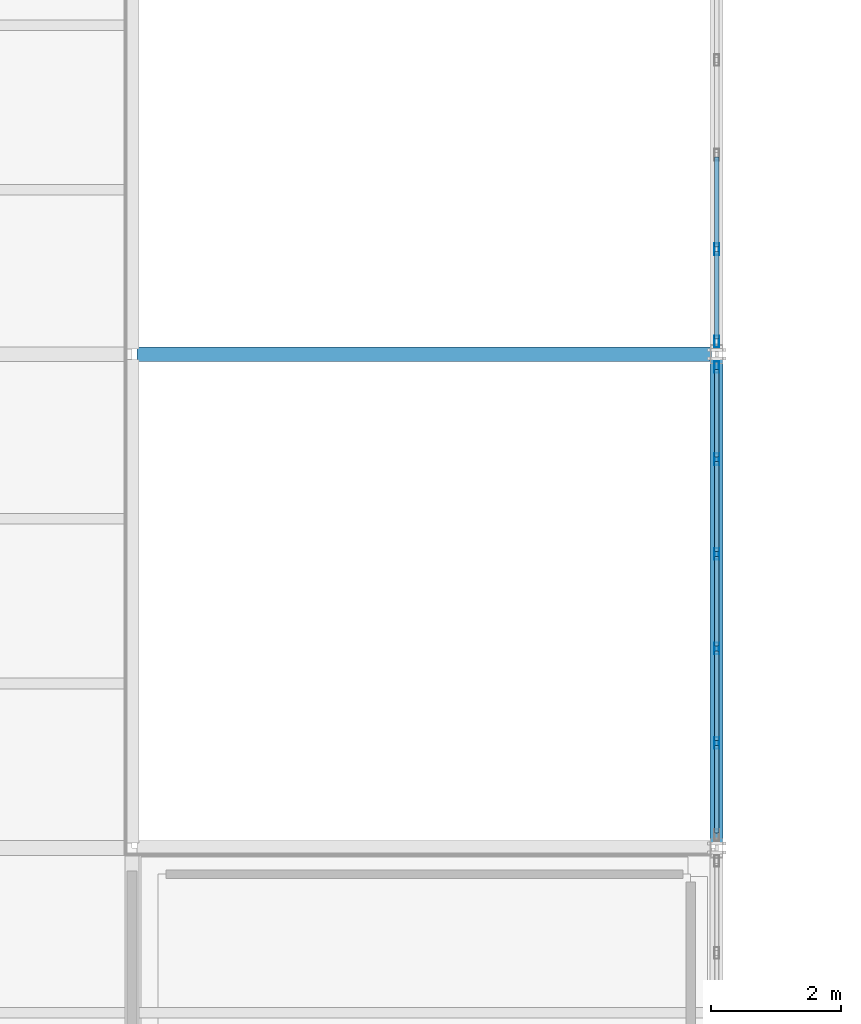
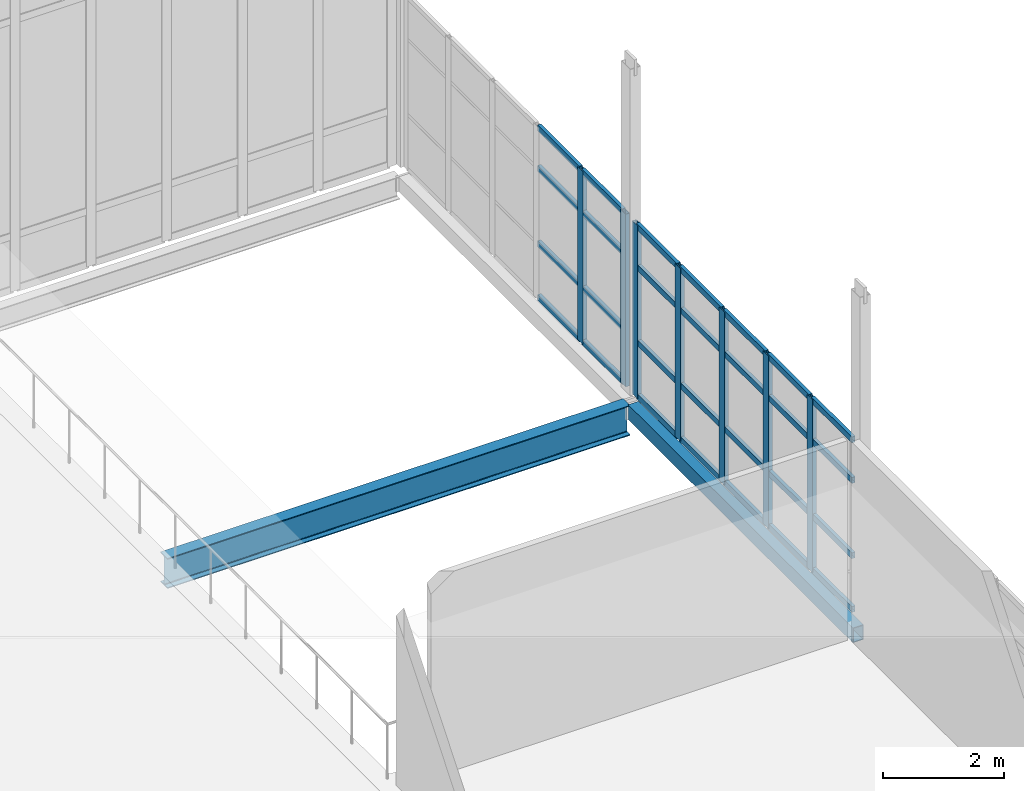
# One storey, part 67 of 166: 35 members, 2 beams, 2 elements without a shape of their own.
"""IFC4 building model written with IfcOpenShell, lengths in metres."""

from ifc_helpers import new_model, si_unit, direction, frame, origin, origin_2d, place, context, subcontext, project, spatial, hollow_rectangle, i_section, extrude, material, material_profile, profile_set, type_object, element, aggregate, save


model = new_model("IFC4")

# Units and contexts
model_context = context("Model", 3, precision=1e-05, world=origin(), true_north=direction((0.0, 1.0)))
body_context = subcontext(model_context, "Body", "Model", "MODEL_VIEW")
ifc_project = project(units=[si_unit("LENGTHUNIT", "METRE"), si_unit("AREAUNIT", "SQUARE_METRE"), si_unit("VOLUMEUNIT", "CUBIC_METRE"), si_unit("PLANEANGLEUNIT", "RADIAN"), si_unit("MASSUNIT", "GRAM", prefix="KILO")], contexts=[model_context])

# Site, building, storey
site_placement = place(None, origin())
site = spatial("IfcSite", under=ifc_project, at=site_placement, CompositionType="ELEMENT")
building_placement = place(site_placement, origin())
building = spatial("IfcBuilding", under=site, at=building_placement, Name="Caisbarro Railhouse Central Library", CompositionType="ELEMENT")
storey_placement = place(building_placement, frame((0.0, 0.0, 9.360107421875)))
storey = spatial("IfcBuildingStorey", under=building, at=storey_placement, Name="L02", CompositionType="ELEMENT", Elevation=9.360107421875)

# Beams
ifc_material_1 = material(Name="Steel ASTM A572 Grade 50", Category="steel")
ifc_material_profile_1 = material_profile(ifc_material_1, i_section(OverallWidth=0.22802734375, OverallDepth=0.60791015625, WebThickness=0.01123046875, FlangeThickness=0.017333984375, FilletRadius=0.02197265625, at=origin_2d()), Name="W610X113.0")
ifc_profile_set_1 = profile_set([ifc_material_profile_1], Name="Steel ASTM A572 Grade 50")
beam_type_1 = type_object("IfcBeamType", Name="BM-G04", PredefinedType="BEAM", material=ifc_profile_set_1)
beam_1_placement = place(storey_placement, frame((63.080078125, 53.199951171875, -0.524169921875), z_axis=(1.0, 0.0, 0.0), x_axis=(0.0, 1.0, 0.0)))
element("IfcBeam", 1, at=beam_1_placement, inside=storey, type_object=beam_type_1, Name="G04 beam L02 #1379", PredefinedType="BEAM", context=body_context, shape_type="SweptSolid", body=[
    extrude(i_section(OverallWidth=0.22802734375, OverallDepth=0.60791015625, WebThickness=0.01123046875, FlangeThickness=0.017333984375, FilletRadius=0.02197265625, at=origin_2d()), origin(), (0.0, 0.0, 1.0), 8.83984375),
])
ifc_material_profile_2 = material_profile(ifc_material_1, hollow_rectangle(XDim=0.199951171875, YDim=0.300048828125, WallThickness=0.012451171875, at=origin_2d()), Name="HSS300X200X12.5")
ifc_profile_set_2 = profile_set([ifc_material_profile_2], Name="Steel ASTM A572 Grade 50")
beam_type_2 = type_object("IfcBeamType", Name="BM-SP02", PredefinedType="SPANDREL", material=ifc_profile_set_2)
beam_2_placement = place(storey_placement, frame((72.0, 45.679931640625, -0.3701171875), z_axis=(0.0, 1.0, 0.0), x_axis=(-1.0, 0.0, 0.0)))
element("IfcBeam", 2, at=beam_2_placement, inside=storey, type_object=beam_type_2, Name="SP02 beam L02 #1418", PredefinedType="SPANDREL", context=body_context, shape_type="SweptSolid", body=[
    extrude(hollow_rectangle(XDim=0.199951171875, YDim=0.300048828125, WallThickness=0.012451171875, at=origin_2d()), origin(), (0.0, 0.0, 1.0), 7.440185546875),
])

# Curtain wall, members
ifc_material_2 = material(Name="Anodised architectural aluminium", Category="aluminium")
curtain_wall_type = type_object("IfcCurtainWallType", Name="CW-CW02", PredefinedType="NOTDEFINED", material=ifc_material_2)
curtain_wall_1_placement = place(storey_placement, origin())
curtain_wall_1 = element("IfcCurtainWall", 3, at=curtain_wall_1_placement, inside=storey, type_object=curtain_wall_type, Name="CW02 curtain wall L02 #42", PredefinedType="NOTDEFINED")
ifc_material_profile_3 = material_profile(ifc_material_2, hollow_rectangle(XDim=0.074951171875, YDim=0.179931640625, WallThickness=0.00439453125, at=origin_2d()), Name="ALU-MUL-75X180")
ifc_profile_set_3 = profile_set([ifc_material_profile_3], Name="Anodised architectural aluminium")
member_type_1 = type_object("IfcMemberType", Name="CWM-M01", PredefinedType="MULLION", material=ifc_profile_set_3)
member_1_placement = place(storey_placement, frame((72.0, 47.216064453125, 0.0), z_axis=(0.0, 0.0, 1.0), x_axis=(-1.0, 0.0, 0.0)))
member_1 = element("IfcMember", 4, at=member_1_placement, type_object=member_type_1, Name="CW02 mullion 2", PredefinedType="MULLION", context=body_context, shape_type="SweptSolid", body=[
    extrude(hollow_rectangle(XDim=0.074951171875, YDim=0.179931640625, WallThickness=0.00439453125, at=origin_2d()), origin(), (0.0, 0.0, 1.0), 3.489990234375),
])
member_2_placement = place(storey_placement, frame((72.0, 48.672119140625, 0.0), z_axis=(0.0, 0.0, 1.0), x_axis=(-1.0, 0.0, 0.0)))
member_2 = element("IfcMember", 5, at=member_2_placement, type_object=member_type_1, Name="CW02 mullion 3", PredefinedType="MULLION", context=body_context, shape_type="SweptSolid", body=[
    extrude(hollow_rectangle(XDim=0.074951171875, YDim=0.179931640625, WallThickness=0.00439453125, at=origin_2d()), origin(), (0.0, 0.0, 1.0), 3.489990234375),
])
member_3_placement = place(storey_placement, frame((72.0, 50.1279296875, 0.0), z_axis=(0.0, 0.0, 1.0), x_axis=(-1.0, 0.0, 0.0)))
member_3 = element("IfcMember", 6, at=member_3_placement, type_object=member_type_1, Name="CW02 mullion 4", PredefinedType="MULLION", context=body_context, shape_type="SweptSolid", body=[
    extrude(hollow_rectangle(XDim=0.074951171875, YDim=0.179931640625, WallThickness=0.00439453125, at=origin_2d()), origin(), (0.0, 0.0, 1.0), 3.489990234375),
])
member_4_placement = place(storey_placement, frame((72.0, 51.583984375, 0.0), z_axis=(0.0, 0.0, 1.0), x_axis=(-1.0, 0.0, 0.0)))
member_4 = element("IfcMember", 7, at=member_4_placement, type_object=member_type_1, Name="CW02 mullion 5", PredefinedType="MULLION", context=body_context, shape_type="SweptSolid", body=[
    extrude(hollow_rectangle(XDim=0.074951171875, YDim=0.179931640625, WallThickness=0.00439453125, at=origin_2d()), origin(), (0.0, 0.0, 1.0), 3.489990234375),
])
member_5_placement = place(storey_placement, frame((72.0, 53.00244140625, 0.0), z_axis=(0.0, 0.0, 1.0), x_axis=(-1.0, 0.0, 0.0)))
member_5 = element("IfcMember", 8, at=member_5_placement, type_object=member_type_1, Name="CW02 mullion 6", PredefinedType="MULLION", context=body_context, shape_type="SweptSolid", body=[
    extrude(hollow_rectangle(XDim=0.074951171875, YDim=0.179931640625, WallThickness=0.00439453125, at=origin_2d()), origin(), (0.0, 0.0, 1.0), 3.489990234375),
])

curtain_wall_2_placement = place(storey_placement, origin())
curtain_wall_2 = element("IfcCurtainWall", 9, at=curtain_wall_2_placement, inside=storey, type_object=curtain_wall_type, Name="CW02 curtain wall L02 #43", PredefinedType="NOTDEFINED")
member_6_placement = place(storey_placement, frame((72.0, 53.3974609375, 0.0), z_axis=(0.0, 0.0, 1.0), x_axis=(-1.0, 0.0, 0.0)))
member_6 = element("IfcMember", 10, at=member_6_placement, type_object=member_type_1, Name="CW02 mullion 1", PredefinedType="MULLION", context=body_context, shape_type="SweptSolid", body=[
    extrude(hollow_rectangle(XDim=0.074951171875, YDim=0.179931640625, WallThickness=0.00439453125, at=origin_2d()), origin(), (0.0, 0.0, 1.0), 3.489990234375),
])
member_7_placement = place(storey_placement, frame((72.0, 54.81591796875, 0.0), z_axis=(0.0, 0.0, 1.0), x_axis=(-1.0, 0.0, 0.0)))
member_7 = element("IfcMember", 11, at=member_7_placement, type_object=member_type_1, Name="CW02 mullion 2", PredefinedType="MULLION", context=body_context, shape_type="SweptSolid", body=[
    extrude(hollow_rectangle(XDim=0.074951171875, YDim=0.179931640625, WallThickness=0.00439453125, at=origin_2d()), origin(), (0.0, 0.0, 1.0), 3.489990234375),
])

# Member
ifc_material_profile_4 = material_profile(ifc_material_2, hollow_rectangle(XDim=0.06494140625, YDim=0.1201171875, WallThickness=0.00341796875, at=origin_2d()), Name="ALU-TRN-65X120")
ifc_profile_set_4 = profile_set([ifc_material_profile_4], Name="Anodised architectural aluminium")
member_type_2 = type_object("IfcMemberType", Name="CWT-T02", PredefinedType="USERDEFINED", material=ifc_profile_set_4)
member_8_placement = place(storey_placement, frame((72.0, 45.8349609375, 0.032470703125), z_axis=(0.0, 1.0, 0.0), x_axis=(-1.0, 0.0, 0.0)))
member_8 = element("IfcMember", 12, at=member_8_placement, type_object=member_type_2, Name="CW02 transom 1.1", ObjectType="TRANSOM", PredefinedType="USERDEFINED", context=body_context, shape_type="SweptSolid", body=[
    extrude(hollow_rectangle(XDim=0.06494140625, YDim=0.1201171875, WallThickness=0.00341796875, at=origin_2d()), origin(), (0.0, 0.0, 1.0), 1.343505859375),
])

member_9_placement = place(storey_placement, frame((72.0, 45.8349609375, 1.119873046875), z_axis=(0.0, 1.0, 0.0), x_axis=(-1.0, 0.0, 0.0)))
member_9 = element("IfcMember", 13, at=member_9_placement, type_object=member_type_2, Name="CW02 transom 1.2", ObjectType="TRANSOM", PredefinedType="USERDEFINED", context=body_context, shape_type="SweptSolid", body=[
    extrude(hollow_rectangle(XDim=0.06494140625, YDim=0.1201171875, WallThickness=0.00341796875, at=origin_2d()), origin(), (0.0, 0.0, 1.0), 1.343505859375),
])

member_10_placement = place(storey_placement, frame((72.0, 45.8349609375, 2.639892578125), z_axis=(0.0, 1.0, 0.0), x_axis=(-1.0, 0.0, 0.0)))
member_10 = element("IfcMember", 14, at=member_10_placement, type_object=member_type_2, Name="CW02 transom 1.3", ObjectType="TRANSOM", PredefinedType="USERDEFINED", context=body_context, shape_type="SweptSolid", body=[
    extrude(hollow_rectangle(XDim=0.06494140625, YDim=0.1201171875, WallThickness=0.00341796875, at=origin_2d()), origin(), (0.0, 0.0, 1.0), 1.343505859375),
])

member_11_placement = place(storey_placement, frame((72.0, 45.8349609375, 3.457275390625), z_axis=(0.0, 1.0, 0.0), x_axis=(-1.0, 0.0, 0.0)))
member_11 = element("IfcMember", 15, at=member_11_placement, type_object=member_type_2, Name="CW02 transom 1.4", ObjectType="TRANSOM", PredefinedType="USERDEFINED", context=body_context, shape_type="SweptSolid", body=[
    extrude(hollow_rectangle(XDim=0.06494140625, YDim=0.1201171875, WallThickness=0.00341796875, at=origin_2d()), origin(), (0.0, 0.0, 1.0), 1.343505859375),
])

member_12_placement = place(storey_placement, frame((72.0, 47.25341796875, 0.032470703125), z_axis=(0.0, 1.0, 0.0), x_axis=(-1.0, 0.0, 0.0)))
member_12 = element("IfcMember", 16, at=member_12_placement, type_object=member_type_2, Name="CW02 transom 2.1", ObjectType="TRANSOM", PredefinedType="USERDEFINED", context=body_context, shape_type="SweptSolid", body=[
    extrude(hollow_rectangle(XDim=0.06494140625, YDim=0.1201171875, WallThickness=0.00341796875, at=origin_2d()), origin(), (0.0, 0.0, 1.0), 1.381103515625),
])

member_13_placement = place(storey_placement, frame((72.0, 47.25341796875, 1.119873046875), z_axis=(0.0, 1.0, 0.0), x_axis=(-1.0, 0.0, 0.0)))
member_13 = element("IfcMember", 17, at=member_13_placement, type_object=member_type_2, Name="CW02 transom 2.2", ObjectType="TRANSOM", PredefinedType="USERDEFINED", context=body_context, shape_type="SweptSolid", body=[
    extrude(hollow_rectangle(XDim=0.06494140625, YDim=0.1201171875, WallThickness=0.00341796875, at=origin_2d()), origin(), (0.0, 0.0, 1.0), 1.381103515625),
])

member_14_placement = place(storey_placement, frame((72.0, 47.25341796875, 2.639892578125), z_axis=(0.0, 1.0, 0.0), x_axis=(-1.0, 0.0, 0.0)))
member_14 = element("IfcMember", 18, at=member_14_placement, type_object=member_type_2, Name="CW02 transom 2.3", ObjectType="TRANSOM", PredefinedType="USERDEFINED", context=body_context, shape_type="SweptSolid", body=[
    extrude(hollow_rectangle(XDim=0.06494140625, YDim=0.1201171875, WallThickness=0.00341796875, at=origin_2d()), origin(), (0.0, 0.0, 1.0), 1.381103515625),
])

member_15_placement = place(storey_placement, frame((72.0, 47.25341796875, 3.457275390625), z_axis=(0.0, 1.0, 0.0), x_axis=(-1.0, 0.0, 0.0)))
member_15 = element("IfcMember", 19, at=member_15_placement, type_object=member_type_2, Name="CW02 transom 2.4", ObjectType="TRANSOM", PredefinedType="USERDEFINED", context=body_context, shape_type="SweptSolid", body=[
    extrude(hollow_rectangle(XDim=0.06494140625, YDim=0.1201171875, WallThickness=0.00341796875, at=origin_2d()), origin(), (0.0, 0.0, 1.0), 1.381103515625),
])

member_16_placement = place(storey_placement, frame((72.0, 48.70947265625, 0.032470703125), z_axis=(0.0, 1.0, 0.0), x_axis=(-1.0, 0.0, 0.0)))
member_16 = element("IfcMember", 20, at=member_16_placement, type_object=member_type_2, Name="CW02 transom 3.1", ObjectType="TRANSOM", PredefinedType="USERDEFINED", context=body_context, shape_type="SweptSolid", body=[
    extrude(hollow_rectangle(XDim=0.06494140625, YDim=0.1201171875, WallThickness=0.00341796875, at=origin_2d()), origin(), (0.0, 0.0, 1.0), 1.381103515625),
])

member_17_placement = place(storey_placement, frame((72.0, 48.70947265625, 1.119873046875), z_axis=(0.0, 1.0, 0.0), x_axis=(-1.0, 0.0, 0.0)))
member_17 = element("IfcMember", 21, at=member_17_placement, type_object=member_type_2, Name="CW02 transom 3.2", ObjectType="TRANSOM", PredefinedType="USERDEFINED", context=body_context, shape_type="SweptSolid", body=[
    extrude(hollow_rectangle(XDim=0.06494140625, YDim=0.1201171875, WallThickness=0.00341796875, at=origin_2d()), origin(), (0.0, 0.0, 1.0), 1.381103515625),
])

member_18_placement = place(storey_placement, frame((72.0, 48.70947265625, 2.639892578125), z_axis=(0.0, 1.0, 0.0), x_axis=(-1.0, 0.0, 0.0)))
member_18 = element("IfcMember", 22, at=member_18_placement, type_object=member_type_2, Name="CW02 transom 3.3", ObjectType="TRANSOM", PredefinedType="USERDEFINED", context=body_context, shape_type="SweptSolid", body=[
    extrude(hollow_rectangle(XDim=0.06494140625, YDim=0.1201171875, WallThickness=0.00341796875, at=origin_2d()), origin(), (0.0, 0.0, 1.0), 1.381103515625),
])

member_19_placement = place(storey_placement, frame((72.0, 48.70947265625, 3.457275390625), z_axis=(0.0, 1.0, 0.0), x_axis=(-1.0, 0.0, 0.0)))
member_19 = element("IfcMember", 23, at=member_19_placement, type_object=member_type_2, Name="CW02 transom 3.4", ObjectType="TRANSOM", PredefinedType="USERDEFINED", context=body_context, shape_type="SweptSolid", body=[
    extrude(hollow_rectangle(XDim=0.06494140625, YDim=0.1201171875, WallThickness=0.00341796875, at=origin_2d()), origin(), (0.0, 0.0, 1.0), 1.381103515625),
])

member_20_placement = place(storey_placement, frame((72.0, 50.16552734375, 0.032470703125), z_axis=(0.0, 1.0, 0.0), x_axis=(-1.0, 0.0, 0.0)))
member_20 = element("IfcMember", 24, at=member_20_placement, type_object=member_type_2, Name="CW02 transom 4.1", ObjectType="TRANSOM", PredefinedType="USERDEFINED", context=body_context, shape_type="SweptSolid", body=[
    extrude(hollow_rectangle(XDim=0.06494140625, YDim=0.1201171875, WallThickness=0.00341796875, at=origin_2d()), origin(), (0.0, 0.0, 1.0), 1.380859375),
])

member_21_placement = place(storey_placement, frame((72.0, 50.16552734375, 1.119873046875), z_axis=(0.0, 1.0, 0.0), x_axis=(-1.0, 0.0, 0.0)))
member_21 = element("IfcMember", 25, at=member_21_placement, type_object=member_type_2, Name="CW02 transom 4.2", ObjectType="TRANSOM", PredefinedType="USERDEFINED", context=body_context, shape_type="SweptSolid", body=[
    extrude(hollow_rectangle(XDim=0.06494140625, YDim=0.1201171875, WallThickness=0.00341796875, at=origin_2d()), origin(), (0.0, 0.0, 1.0), 1.380859375),
])

member_22_placement = place(storey_placement, frame((72.0, 50.16552734375, 2.639892578125), z_axis=(0.0, 1.0, 0.0), x_axis=(-1.0, 0.0, 0.0)))
member_22 = element("IfcMember", 26, at=member_22_placement, type_object=member_type_2, Name="CW02 transom 4.3", ObjectType="TRANSOM", PredefinedType="USERDEFINED", context=body_context, shape_type="SweptSolid", body=[
    extrude(hollow_rectangle(XDim=0.06494140625, YDim=0.1201171875, WallThickness=0.00341796875, at=origin_2d()), origin(), (0.0, 0.0, 1.0), 1.380859375),
])

member_23_placement = place(storey_placement, frame((72.0, 50.16552734375, 3.457275390625), z_axis=(0.0, 1.0, 0.0), x_axis=(-1.0, 0.0, 0.0)))
member_23 = element("IfcMember", 27, at=member_23_placement, type_object=member_type_2, Name="CW02 transom 4.4", ObjectType="TRANSOM", PredefinedType="USERDEFINED", context=body_context, shape_type="SweptSolid", body=[
    extrude(hollow_rectangle(XDim=0.06494140625, YDim=0.1201171875, WallThickness=0.00341796875, at=origin_2d()), origin(), (0.0, 0.0, 1.0), 1.380859375),
])

member_24_placement = place(storey_placement, frame((72.0, 51.62158203125, 0.032470703125), z_axis=(0.0, 1.0, 0.0), x_axis=(-1.0, 0.0, 0.0)))
member_24 = element("IfcMember", 28, at=member_24_placement, type_object=member_type_2, Name="CW02 transom 5.1", ObjectType="TRANSOM", PredefinedType="USERDEFINED", context=body_context, shape_type="SweptSolid", body=[
    extrude(hollow_rectangle(XDim=0.06494140625, YDim=0.1201171875, WallThickness=0.00341796875, at=origin_2d()), origin(), (0.0, 0.0, 1.0), 1.343505859375),
])

member_25_placement = place(storey_placement, frame((72.0, 51.62158203125, 1.119873046875), z_axis=(0.0, 1.0, 0.0), x_axis=(-1.0, 0.0, 0.0)))
member_25 = element("IfcMember", 29, at=member_25_placement, type_object=member_type_2, Name="CW02 transom 5.2", ObjectType="TRANSOM", PredefinedType="USERDEFINED", context=body_context, shape_type="SweptSolid", body=[
    extrude(hollow_rectangle(XDim=0.06494140625, YDim=0.1201171875, WallThickness=0.00341796875, at=origin_2d()), origin(), (0.0, 0.0, 1.0), 1.343505859375),
])

member_26_placement = place(storey_placement, frame((72.0, 51.62158203125, 2.639892578125), z_axis=(0.0, 1.0, 0.0), x_axis=(-1.0, 0.0, 0.0)))
member_26 = element("IfcMember", 30, at=member_26_placement, type_object=member_type_2, Name="CW02 transom 5.3", ObjectType="TRANSOM", PredefinedType="USERDEFINED", context=body_context, shape_type="SweptSolid", body=[
    extrude(hollow_rectangle(XDim=0.06494140625, YDim=0.1201171875, WallThickness=0.00341796875, at=origin_2d()), origin(), (0.0, 0.0, 1.0), 1.343505859375),
])

member_27_placement = place(storey_placement, frame((72.0, 51.62158203125, 3.457275390625), z_axis=(0.0, 1.0, 0.0), x_axis=(-1.0, 0.0, 0.0)))
member_27 = element("IfcMember", 31, at=member_27_placement, type_object=member_type_2, Name="CW02 transom 5.4", ObjectType="TRANSOM", PredefinedType="USERDEFINED", context=body_context, shape_type="SweptSolid", body=[
    extrude(hollow_rectangle(XDim=0.06494140625, YDim=0.1201171875, WallThickness=0.00341796875, at=origin_2d()), origin(), (0.0, 0.0, 1.0), 1.343505859375),
])

aggregate(curtain_wall_1, [member_1, member_2, member_3, member_4, member_5, member_8, member_9, member_10, member_11, member_12, member_13, member_14, member_15, member_16, member_17, member_18, member_19, member_20, member_21, member_22, member_23, member_24, member_25, member_26, member_27])

member_28_placement = place(storey_placement, frame((72.0, 53.43505859375, 0.032470703125), z_axis=(0.0, 1.0, 0.0), x_axis=(-1.0, 0.0, 0.0)))
member_28 = element("IfcMember", 32, at=member_28_placement, type_object=member_type_2, Name="CW02 transom 1.1", ObjectType="TRANSOM", PredefinedType="USERDEFINED", context=body_context, shape_type="SweptSolid", body=[
    extrude(hollow_rectangle(XDim=0.06494140625, YDim=0.1201171875, WallThickness=0.00341796875, at=origin_2d()), origin(), (0.0, 0.0, 1.0), 1.343505859375),
])

member_29_placement = place(storey_placement, frame((72.0, 53.43505859375, 1.119873046875), z_axis=(0.0, 1.0, 0.0), x_axis=(-1.0, 0.0, 0.0)))
member_29 = element("IfcMember", 33, at=member_29_placement, type_object=member_type_2, Name="CW02 transom 1.2", ObjectType="TRANSOM", PredefinedType="USERDEFINED", context=body_context, shape_type="SweptSolid", body=[
    extrude(hollow_rectangle(XDim=0.06494140625, YDim=0.1201171875, WallThickness=0.00341796875, at=origin_2d()), origin(), (0.0, 0.0, 1.0), 1.343505859375),
])

member_30_placement = place(storey_placement, frame((72.0, 53.43505859375, 2.639892578125), z_axis=(0.0, 1.0, 0.0), x_axis=(-1.0, 0.0, 0.0)))
member_30 = element("IfcMember", 34, at=member_30_placement, type_object=member_type_2, Name="CW02 transom 1.3", ObjectType="TRANSOM", PredefinedType="USERDEFINED", context=body_context, shape_type="SweptSolid", body=[
    extrude(hollow_rectangle(XDim=0.06494140625, YDim=0.1201171875, WallThickness=0.00341796875, at=origin_2d()), origin(), (0.0, 0.0, 1.0), 1.343505859375),
])

member_31_placement = place(storey_placement, frame((72.0, 53.43505859375, 3.457275390625), z_axis=(0.0, 1.0, 0.0), x_axis=(-1.0, 0.0, 0.0)))
member_31 = element("IfcMember", 35, at=member_31_placement, type_object=member_type_2, Name="CW02 transom 1.4", ObjectType="TRANSOM", PredefinedType="USERDEFINED", context=body_context, shape_type="SweptSolid", body=[
    extrude(hollow_rectangle(XDim=0.06494140625, YDim=0.1201171875, WallThickness=0.00341796875, at=origin_2d()), origin(), (0.0, 0.0, 1.0), 1.343505859375),
])

member_32_placement = place(storey_placement, frame((72.0, 54.853515625, 0.032470703125), z_axis=(0.0, 1.0, 0.0), x_axis=(-1.0, 0.0, 0.0)))
member_32 = element("IfcMember", 36, at=member_32_placement, type_object=member_type_2, Name="CW02 transom 2.1", ObjectType="TRANSOM", PredefinedType="USERDEFINED", context=body_context, shape_type="SweptSolid", body=[
    extrude(hollow_rectangle(XDim=0.06494140625, YDim=0.1201171875, WallThickness=0.00341796875, at=origin_2d()), origin(), (0.0, 0.0, 1.0), 1.381103515625),
])

member_33_placement = place(storey_placement, frame((72.0, 54.853515625, 1.119873046875), z_axis=(0.0, 1.0, 0.0), x_axis=(-1.0, 0.0, 0.0)))
member_33 = element("IfcMember", 37, at=member_33_placement, type_object=member_type_2, Name="CW02 transom 2.2", ObjectType="TRANSOM", PredefinedType="USERDEFINED", context=body_context, shape_type="SweptSolid", body=[
    extrude(hollow_rectangle(XDim=0.06494140625, YDim=0.1201171875, WallThickness=0.00341796875, at=origin_2d()), origin(), (0.0, 0.0, 1.0), 1.381103515625),
])

member_34_placement = place(storey_placement, frame((72.0, 54.853515625, 2.639892578125), z_axis=(0.0, 1.0, 0.0), x_axis=(-1.0, 0.0, 0.0)))
member_34 = element("IfcMember", 38, at=member_34_placement, type_object=member_type_2, Name="CW02 transom 2.3", ObjectType="TRANSOM", PredefinedType="USERDEFINED", context=body_context, shape_type="SweptSolid", body=[
    extrude(hollow_rectangle(XDim=0.06494140625, YDim=0.1201171875, WallThickness=0.00341796875, at=origin_2d()), origin(), (0.0, 0.0, 1.0), 1.381103515625),
])

member_35_placement = place(storey_placement, frame((72.0, 54.853515625, 3.457275390625), z_axis=(0.0, 1.0, 0.0), x_axis=(-1.0, 0.0, 0.0)))
member_35 = element("IfcMember", 39, at=member_35_placement, type_object=member_type_2, Name="CW02 transom 2.4", ObjectType="TRANSOM", PredefinedType="USERDEFINED", context=body_context, shape_type="SweptSolid", body=[
    extrude(hollow_rectangle(XDim=0.06494140625, YDim=0.1201171875, WallThickness=0.00341796875, at=origin_2d()), origin(), (0.0, 0.0, 1.0), 1.381103515625),
])

aggregate(curtain_wall_2, [member_6, member_7, member_28, member_29, member_30, member_31, member_32, member_33, member_34, member_35])

save(model, "model.ifc")
